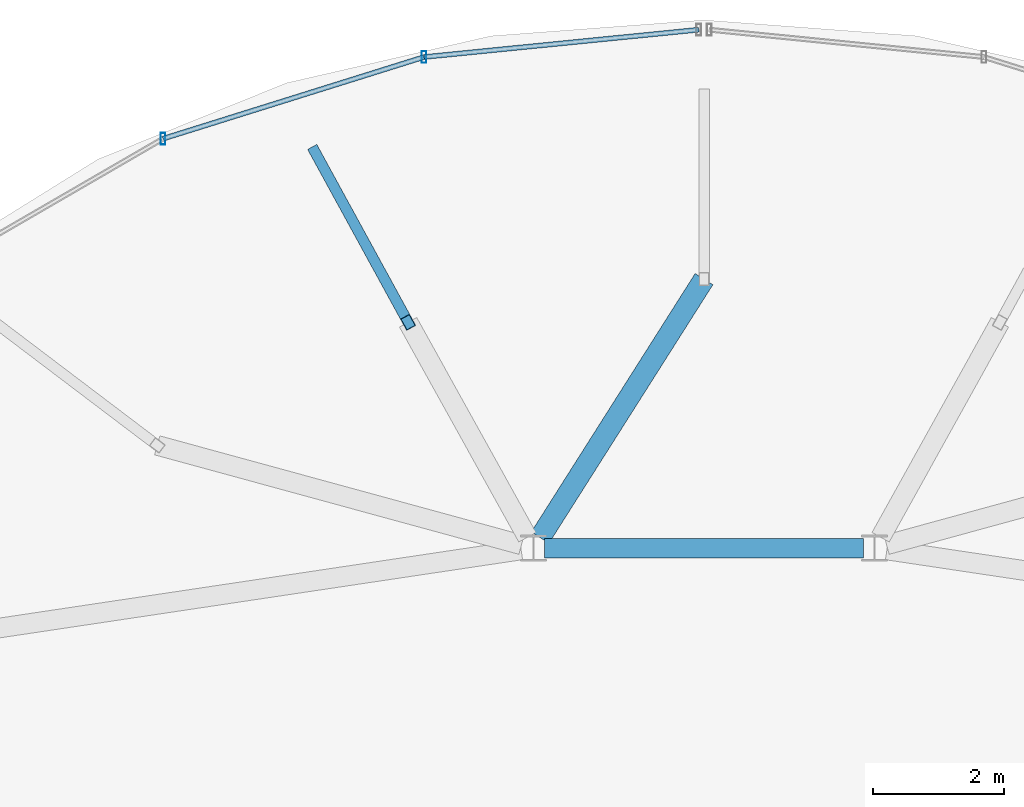
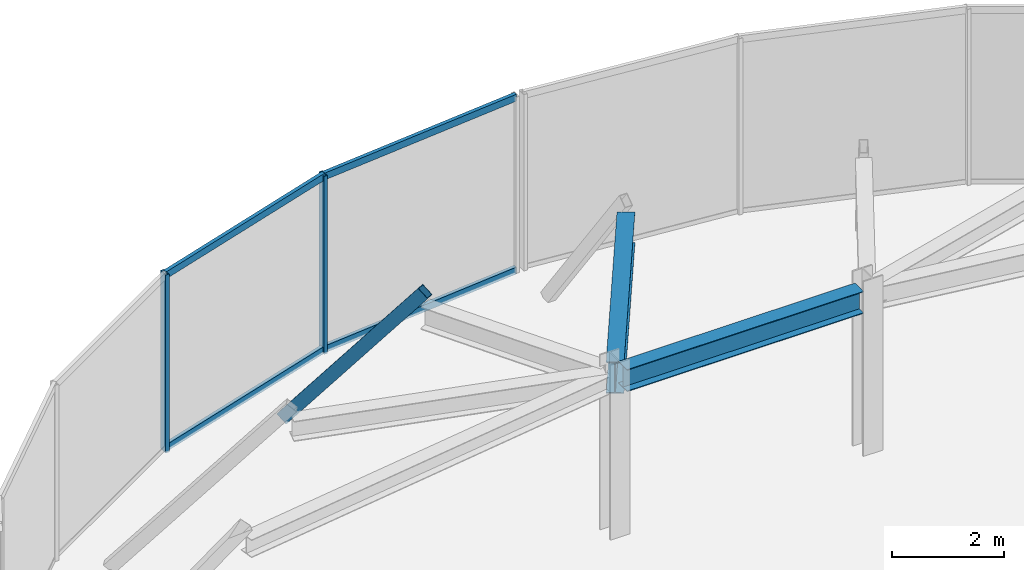
# One storey, part 9 of 13: 7 members, 2 beams, 1 element without a shape of its own.
"""IFC4 building model written with IfcOpenShell, lengths in metres."""

from ifc_helpers import new_model, si_unit, direction, frame, origin, origin_2d, place, context, subcontext, project, spatial, hollow_rectangle, i_section, extrude, material, material_profile, profile_set, type_object, element, aggregate, save


model = new_model("IFC4")

# Units and contexts
model_context = context("Model", 3, precision=1e-05, world=origin(), true_north=direction((0.0, 1.0)))
body_context = subcontext(model_context, "Body", "Model", "MODEL_VIEW")
ifc_project = project(units=[si_unit("LENGTHUNIT", "METRE"), si_unit("AREAUNIT", "SQUARE_METRE"), si_unit("VOLUMEUNIT", "CUBIC_METRE"), si_unit("PLANEANGLEUNIT", "RADIAN"), si_unit("MASSUNIT", "GRAM", prefix="KILO")], contexts=[model_context])

# Site, building, storey
site_placement = place(None, origin())
site = spatial("IfcSite", under=ifc_project, at=site_placement, CompositionType="ELEMENT")
building_placement = place(site_placement, origin())
building = spatial("IfcBuilding", under=site, at=building_placement, Name="Vorneva Point Tower", CompositionType="ELEMENT")
storey_placement = place(building_placement, frame((0.0, 0.0, 303.0)))
storey = spatial("IfcBuildingStorey", under=building, at=storey_placement, Name="C03", CompositionType="ELEMENT", Elevation=303.0)

# Beams
ifc_material_1 = material(Name="Steel S355", Category="steel")
ifc_material_profile_1 = material_profile(ifc_material_1, i_section(OverallWidth=0.300048828125, OverallDepth=0.48193359375, WebThickness=0.010986328125, FlangeThickness=0.014892578125, at=origin_2d()), Name="50Sh1")
ifc_profile_set_1 = profile_set([ifc_material_profile_1], Name="Steel S355")
beam_type_1 = type_object("IfcBeamType", Name="BM-GRD-50Sh1", PredefinedType="USERDEFINED", material=ifc_profile_set_1)
beam_1_placement = place(storey_placement, frame((35.570068359375, 30.550048828125, 3.30908203125), z_axis=(1.0, 0.0, 0.0), x_axis=(0.0, 1.0, 0.0)))
element("IfcBeam", 1, at=beam_1_placement, inside=storey, type_object=beam_type_1, Name="C03 Core Tie Girder CT2", ObjectType="GIRDER", PredefinedType="USERDEFINED", context=body_context, shape_type="SweptSolid", body=[
    extrude(i_section(OverallWidth=0.300048828125, OverallDepth=0.48193359375, WebThickness=0.010986328125, FlangeThickness=0.014892578125, at=origin_2d()), origin(), (0.0, 0.0, 1.0), 4.85986328125),
])
ifc_material_profile_2 = material_profile(ifc_material_1, i_section(OverallWidth=0.320068359375, OverallDepth=0.68310546875, WebThickness=0.012939453125, FlangeThickness=0.01904296875, at=origin_2d()), Name="70Sh1")
ifc_profile_set_2 = profile_set([ifc_material_profile_2], Name="Steel S355")
beam_type_2 = type_object("IfcBeamType", Name="BM-GRD-70Sh1", PredefinedType="USERDEFINED", material=ifc_profile_set_2)
beam_2_placement = place(storey_placement, frame((38.0, 34.64990234375, 3.20849609375), z_axis=(-0.535557501896, -0.844498763861, 0.0), x_axis=(0.844498763861, -0.535557501896, 0.0)))
element("IfcBeam", 2, at=beam_2_placement, inside=storey, type_object=beam_type_2, Name="C03 Radial Primary Girder 05", ObjectType="GIRDER", PredefinedType="USERDEFINED", context=body_context, shape_type="SweptSolid", body=[
    extrude(i_section(OverallWidth=0.320068359375, OverallDepth=0.68310546875, WebThickness=0.012939453125, FlangeThickness=0.01904296875, at=origin_2d()), origin(), (0.0, 0.0, 1.0), 4.664794921875),
])

# Curtain wall, members
ifc_material_2 = material(Name="Pale anodised aluminium", Category="aluminium")
curtain_wall_type = type_object("IfcCurtainWallType", Name="CW-CRN-SYS", PredefinedType="NOTDEFINED", material=ifc_material_2)
curtain_wall_placement = place(storey_placement, origin())
curtain_wall = element("IfcCurtainWall", 3, at=curtain_wall_placement, inside=storey, type_object=curtain_wall_type, Name="C03 Unitised Curtain Wall CW-C03-Q2", PredefinedType="NOTDEFINED")
ifc_material_profile_3 = material_profile(ifc_material_2, hollow_rectangle(XDim=0.074951171875, YDim=0.179931640625, WallThickness=0.00390625, at=origin_2d()), Name="AL-MUL 180x75x4")
ifc_profile_set_3 = profile_set([ifc_material_profile_3], Name="Pale anodised aluminium")
member_type_1 = type_object("IfcMemberType", Name="CW-MUL-180", PredefinedType="MULLION", material=ifc_profile_set_3)
member_1_placement = place(storey_placement, frame((33.731689453125, 38.035400390625, -0.0400390625), z_axis=(0.0, 0.0, 1.0), x_axis=(1.0, 0.0, 0.0)))
member_1 = element("IfcMember", 4, at=member_1_placement, type_object=member_type_1, Name="CW-C03-Q2 Mullion 02", PredefinedType="MULLION", context=body_context, shape_type="SweptSolid", body=[
    extrude(hollow_rectangle(XDim=0.074951171875, YDim=0.179931640625, WallThickness=0.00390625, at=origin_2d()), origin(), (0.0, 0.0, 1.0), 3.8701171875),
])
member_2_placement = place(storey_placement, frame((29.75390625, 36.790771484375, -0.0400390625), z_axis=(0.0, 0.0, 1.0), x_axis=(1.0, 0.0, 0.0)))
member_2 = element("IfcMember", 5, at=member_2_placement, type_object=member_type_1, Name="CW-C03-Q2 Mullion 03", PredefinedType="MULLION", context=body_context, shape_type="SweptSolid", body=[
    extrude(hollow_rectangle(XDim=0.074951171875, YDim=0.179931640625, WallThickness=0.00390625, at=origin_2d()), origin(), (0.0, 0.0, 1.0), 3.8701171875),
])
ifc_material_profile_4 = material_profile(ifc_material_2, hollow_rectangle(XDim=0.074951171875, YDim=0.14990234375, WallThickness=0.00390625, at=origin_2d()), Name="AL-TRN 150x75x4")
ifc_profile_set_4 = profile_set([ifc_material_profile_4], Name="Pale anodised aluminium")
member_type_2 = type_object("IfcMemberType", Name="CW-TRN-150", PredefinedType="USERDEFINED", material=ifc_profile_set_4)
member_3_placement = place(storey_placement, frame((37.92041015625, 38.4521484375, 0.02001953125), z_axis=(-0.995087024234, -0.099004112046, 0.0), x_axis=(0.099004112046, -0.995087024234, 0.0)))
member_3 = element("IfcMember", 6, at=member_3_placement, type_object=member_type_2, Name="CW-C03-Q2 Transom 01.1", ObjectType="TRANSOM", PredefinedType="USERDEFINED", context=body_context, shape_type="SweptSolid", body=[
    extrude(hollow_rectangle(XDim=0.074951171875, YDim=0.14990234375, WallThickness=0.00390625, at=origin_2d()), origin(), (0.0, 0.0, 1.0), 4.20947265625),
])
member_4_placement = place(storey_placement, frame((37.92041015625, 38.4521484375, 3.780029296875), z_axis=(-0.995087024234, -0.099004112046, 0.0), x_axis=(0.099004112046, -0.995087024234, 0.0)))
member_4 = element("IfcMember", 7, at=member_4_placement, type_object=member_type_2, Name="CW-C03-Q2 Transom 01.2", ObjectType="TRANSOM", PredefinedType="USERDEFINED", context=body_context, shape_type="SweptSolid", body=[
    extrude(hollow_rectangle(XDim=0.074951171875, YDim=0.14990234375, WallThickness=0.00390625, at=origin_2d()), origin(), (0.0, 0.0, 1.0), 4.20947265625),
])
member_5_placement = place(storey_placement, frame((33.731689453125, 38.035400390625, 0.02001953125), z_axis=(-0.954372562321, -0.298618506273, 0.0), x_axis=(0.298618506273, -0.954372562321, 0.0)))
member_5 = element("IfcMember", 8, at=member_5_placement, type_object=member_type_2, Name="CW-C03-Q2 Transom 02.1", ObjectType="TRANSOM", PredefinedType="USERDEFINED", context=body_context, shape_type="SweptSolid", body=[
    extrude(hollow_rectangle(XDim=0.074951171875, YDim=0.14990234375, WallThickness=0.00390625, at=origin_2d()), origin(), (0.0, 0.0, 1.0), 4.16796875),
])
member_6_placement = place(storey_placement, frame((33.731689453125, 38.035400390625, 3.780029296875), z_axis=(-0.954372562321, -0.298618506273, 0.0), x_axis=(0.298618506273, -0.954372562321, 0.0)))
member_6 = element("IfcMember", 9, at=member_6_placement, type_object=member_type_2, Name="CW-C03-Q2 Transom 02.2", ObjectType="TRANSOM", PredefinedType="USERDEFINED", context=body_context, shape_type="SweptSolid", body=[
    extrude(hollow_rectangle(XDim=0.074951171875, YDim=0.14990234375, WallThickness=0.00390625, at=origin_2d()), origin(), (0.0, 0.0, 1.0), 4.16796875),
])
aggregate(curtain_wall, [member_1, member_2, member_3, member_4, member_5, member_6])

# Member
ifc_material_profile_5 = material_profile(ifc_material_1, hollow_rectangle(XDim=0.159912109375, YDim=0.25, WallThickness=0.010009765625, at=origin_2d()), Name="PP 250x160x10")
ifc_profile_set_5 = profile_set([ifc_material_profile_5], Name="Steel S355")
member_type_3 = type_object("IfcMemberType", Name="MBR-CRN-PP250", PredefinedType="CHORD", material=ifc_profile_set_5)
member_7_placement = place(storey_placement, frame((32.0751953125, 36.578369140625, 0.0), z_axis=(0.29411027843, -0.537814704862, 0.790097770757), x_axis=(0.877376041832, 0.479803377666, 0.0)))
element("IfcMember", 10, at=member_7_placement, inside=storey, type_object=member_type_3, Name="Crown Tapered Frame Rib C03-06", PredefinedType="CHORD", context=body_context, shape_type="SweptSolid", body=[
    extrude(hollow_rectangle(XDim=0.159912109375, YDim=0.25, WallThickness=0.010009765625, at=origin_2d()), origin(), (0.0, 0.0, 1.0), 4.8095703125),
])

save(model, "model.ifc")
